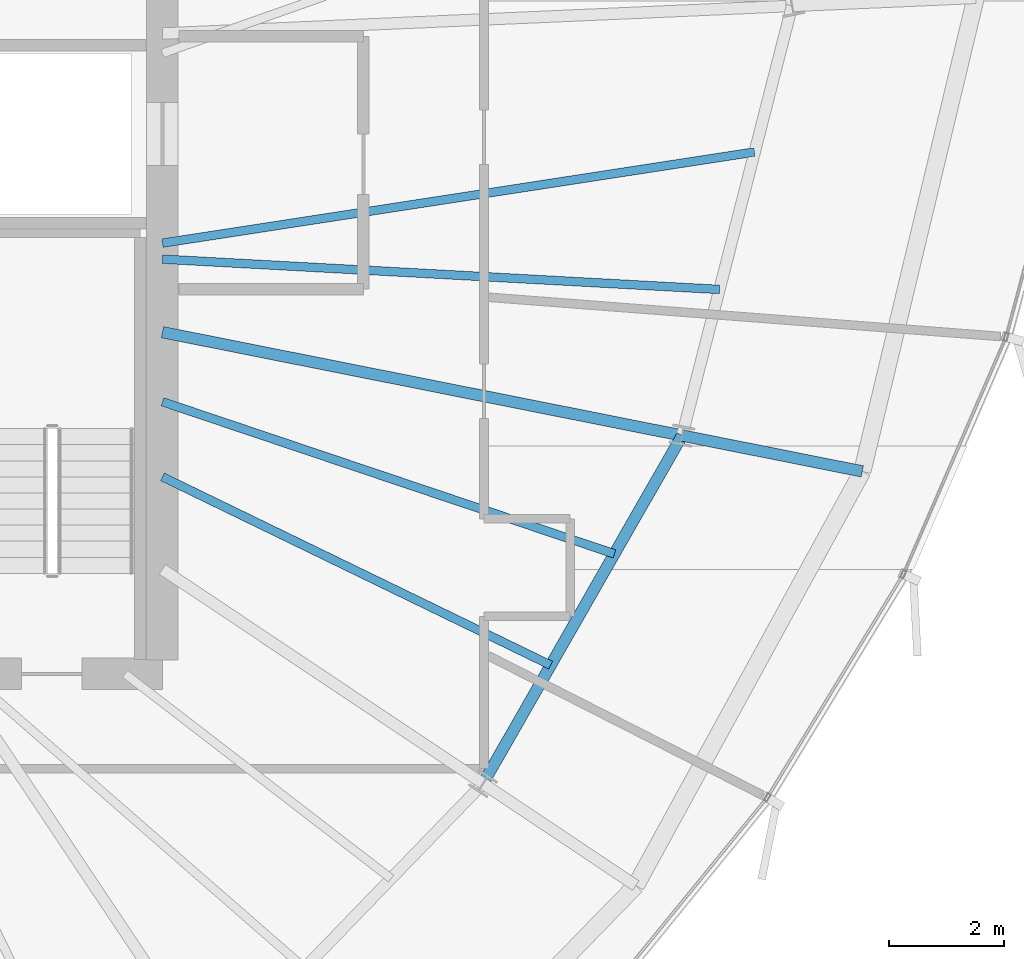
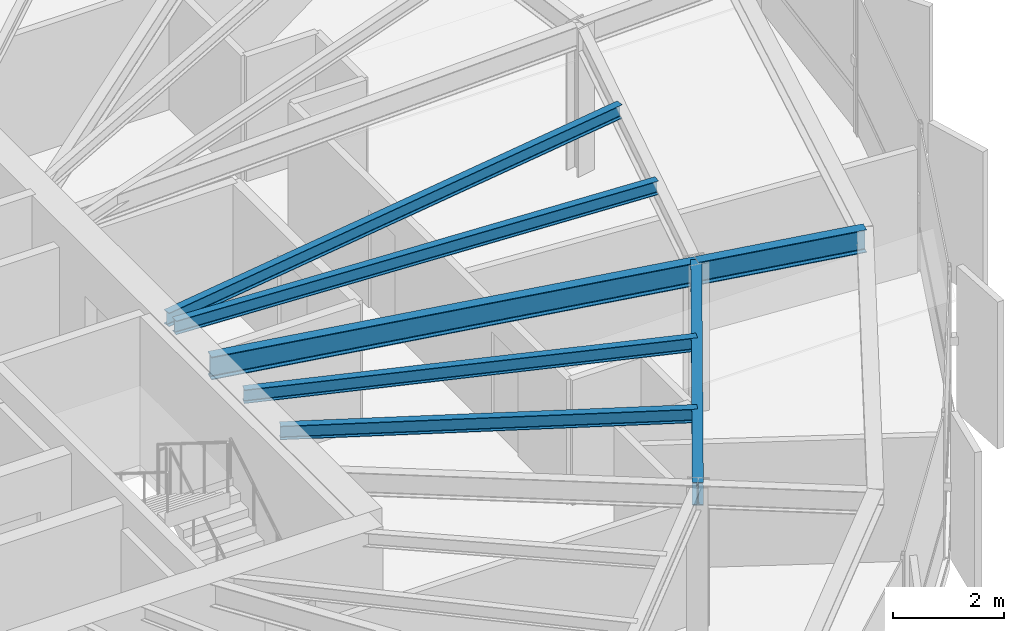
# One storey, part 16 of 34: 7 beams.
"""IFC4 building model written with IfcOpenShell, lengths in metres."""

from ifc_helpers import new_model, si_unit, direction, frame, origin, origin_2d, place, context, subcontext, project, spatial, i_section, extrude, source, transform, mapped, material, material_profile, profile_set, type_object, element, save


model = new_model("IFC4")

# Units and contexts
model_context = context("Model", 3, precision=1e-05, world=origin(), true_north=direction((0.0, 1.0)))
body_context = subcontext(model_context, "Body", "Model", "MODEL_VIEW")
ifc_project = project(units=[si_unit("LENGTHUNIT", "METRE"), si_unit("AREAUNIT", "SQUARE_METRE"), si_unit("VOLUMEUNIT", "CUBIC_METRE"), si_unit("PLANEANGLEUNIT", "RADIAN"), si_unit("MASSUNIT", "GRAM", prefix="KILO"), si_unit("THERMODYNAMICTEMPERATUREUNIT", "KELVIN")], contexts=[model_context])

# Site, building, storey
site_placement = place(None, origin())
site = spatial("IfcSite", under=ifc_project, at=site_placement, CompositionType="ELEMENT")
building_placement = place(site_placement, origin())
building = spatial("IfcBuilding", under=site, at=building_placement, Name="Kethvar Cultural Tower", CompositionType="ELEMENT")
storey_placement = place(building_placement, frame((0.0, 0.0, 190.39990234375)))
storey = spatial("IfcBuildingStorey", under=building, at=storey_placement, Name="L49", CompositionType="ELEMENT", Elevation=190.39990234375)

# Beams
ifc_material = material(Name="Steel S355J2", Category="steel")
ifc_material_profile_1 = material_profile(ifc_material, i_section(OverallWidth=0.199951171875, OverallDepth=0.5, WebThickness=0.01025390625, FlangeThickness=0.01611328125, FilletRadius=0.02099609375, at=origin_2d()), Name="Steel S355J2 — IPE500")
ifc_profile_set_1 = profile_set([ifc_material_profile_1], Name="Steel S355J2 — IPE500")
beam_type_1 = type_object("IfcBeamType", Name="BM-IPE500", PredefinedType="BEAM", material=ifc_profile_set_1)
shared_shape_1 = source(origin(), body_context, "Body", "SweptSolid", [
    extrude(i_section(OverallWidth=0.199951171875, OverallDepth=0.5, WebThickness=0.01025390625, FlangeThickness=0.01611328125, FilletRadius=0.02099609375, at=origin_2d()), origin(), (0.0, 0.0, 1.0), 3.199951171875),
])
beam_1_placement = place(storey_placement, frame((64.648681640625, 24.249755859375, 3.008056640625), z_axis=(0.980785550224, -0.195088965533, 0.0), x_axis=(0.195088965533, 0.980785550224, 0.0)))
element("IfcBeam", 1, at=beam_1_placement, inside=storey, type_object=beam_type_1, Name="L49 Perimeter Cantilever Beam RC-16", PredefinedType="BEAM", context=body_context, shape_type="MappedRepresentation", body=[
    mapped(shared_shape_1, transform((0.0, 0.0, 0.0), scale=1.0)),
])
shared_shape_2 = source(origin(), body_context, "Body", "SweptSolid", [
    extrude(i_section(OverallWidth=0.199951171875, OverallDepth=0.5, WebThickness=0.01025390625, FlangeThickness=0.01611328125, FilletRadius=0.02099609375, at=origin_2d()), origin(), (0.0, 0.0, 1.0), 9.225830078125),
])
beam_2_placement = place(storey_placement, frame((55.60009765625, 26.049560546875, 3.008056640625), z_axis=(0.980786744069, -0.195082963529, 0.0), x_axis=(0.195082963529, 0.980786744069, 0.0)))
element("IfcBeam", 2, at=beam_2_placement, inside=storey, type_object=beam_type_1, Name="L49 Primary Radial Beam RB-16", PredefinedType="BEAM", context=body_context, shape_type="MappedRepresentation", body=[
    mapped(shared_shape_2, transform((0.0, 0.0, 0.0), scale=1.0)),
])
shared_shape_3 = source(origin(), body_context, "Body", "SweptSolid", [
    extrude(i_section(OverallWidth=0.199951171875, OverallDepth=0.5, WebThickness=0.01025390625, FlangeThickness=0.01611328125, FilletRadius=0.02099609375, at=origin_2d()), origin(), (0.0, 0.0, 1.0), 6.98095703125),
])
beam_3_placement = place(storey_placement, frame((61.1826171875, 18.18994140625, 3.008056640625), z_axis=(0.496496686118, 0.868038617041, 0.0), x_axis=(-0.868038617041, 0.496496686118, 0.0)))
element("IfcBeam", 3, at=beam_3_placement, inside=storey, type_object=beam_type_1, Name="L49 Column Ring Tie Beam CR-15", PredefinedType="BEAM", context=body_context, shape_type="MappedRepresentation", body=[
    mapped(shared_shape_3, transform((0.0, 0.0, 0.0), scale=1.0)),
])
ifc_material_profile_2 = material_profile(ifc_material, i_section(OverallWidth=0.14990234375, OverallDepth=0.300048828125, WebThickness=0.007080078125, FlangeThickness=0.0107421875, FilletRadius=0.014892578125, at=origin_2d()), Name="Steel S355J2 — IPE300")
ifc_profile_set_2 = profile_set([ifc_material_profile_2], Name="Steel S355J2 — IPE300")
beam_type_2 = type_object("IfcBeamType", Name="BM-J300", PredefinedType="JOIST", material=ifc_profile_set_2)
shared_shape_4 = source(origin(), body_context, "Body", "SweptSolid", [
    extrude(i_section(OverallWidth=0.14990234375, OverallDepth=0.300048828125, WebThickness=0.007080078125, FlangeThickness=0.0107421875, FilletRadius=0.014892578125, at=origin_2d()), origin(), (0.0, 0.0, 1.0), 7.5146484375),
])
beam_4_placement = place(storey_placement, frame((55.60009765625, 23.530517578125, 3.108154296875), z_axis=(0.899698132091, -0.436512624229, 0.0), x_axis=(0.436512624229, 0.899698132091, 0.0)))
element("IfcBeam", 4, at=beam_4_placement, inside=storey, type_object=beam_type_2, Name="L49 Composite Floor Joist J-15A", PredefinedType="JOIST", context=body_context, shape_type="MappedRepresentation", body=[
    mapped(shared_shape_4, transform((0.0, 0.0, 0.0), scale=1.0)),
])
shared_shape_5 = source(origin(), body_context, "Body", "SweptSolid", [
    extrude(i_section(OverallWidth=0.14990234375, OverallDepth=0.300048828125, WebThickness=0.007080078125, FlangeThickness=0.0107421875, FilletRadius=0.014892578125, at=origin_2d()), origin(), (0.0, 0.0, 1.0), 8.303955078125),
])
beam_5_placement = place(storey_placement, frame((55.60009765625, 24.838134765625, 3.108154296875), z_axis=(0.94776496661, -0.318969540971, 0.0), x_axis=(0.318969540971, 0.94776496661, 0.0)))
element("IfcBeam", 5, at=beam_5_placement, inside=storey, type_object=beam_type_2, Name="L49 Composite Floor Joist J-15B", PredefinedType="JOIST", context=body_context, shape_type="MappedRepresentation", body=[
    mapped(shared_shape_5, transform((0.0, 0.0, 0.0), scale=1.0)),
])
shared_shape_6 = source(origin(), body_context, "Body", "SweptSolid", [
    extrude(i_section(OverallWidth=0.14990234375, OverallDepth=0.300048828125, WebThickness=0.007080078125, FlangeThickness=0.0107421875, FilletRadius=0.014892578125, at=origin_2d()), origin(), (0.0, 0.0, 1.0), 9.714111328125),
])
beam_6_placement = place(storey_placement, frame((55.60009765625, 27.3212890625, 3.108154296875), z_axis=(0.998522658081, -0.054336923906, 0.0), x_axis=(0.054336923906, 0.998522658081, 0.0)))
element("IfcBeam", 6, at=beam_6_placement, inside=storey, type_object=beam_type_2, Name="L49 Composite Floor Joist J-16A", PredefinedType="JOIST", context=body_context, shape_type="MappedRepresentation", body=[
    mapped(shared_shape_6, transform((0.0, 0.0, 0.0), scale=1.0)),
])
shared_shape_7 = source(origin(), body_context, "Body", "SweptSolid", [
    extrude(i_section(OverallWidth=0.14990234375, OverallDepth=0.300048828125, WebThickness=0.007080078125, FlangeThickness=0.0107421875, FilletRadius=0.014892578125, at=origin_2d()), origin(), (0.0, 0.0, 1.0), 10.43408203125),
])
beam_7_placement = place(storey_placement, frame((55.60009765625, 27.60009765625, 3.108154296875), z_axis=(0.988359792691, 0.152134546343, 0.0), x_axis=(-0.152134546343, 0.988359792691, 0.0)))
element("IfcBeam", 7, at=beam_7_placement, inside=storey, type_object=beam_type_2, Name="L49 Composite Floor Joist J-16B", PredefinedType="JOIST", context=body_context, shape_type="MappedRepresentation", body=[
    mapped(shared_shape_7, transform((0.0, 0.0, 0.0), scale=1.0)),
])

save(model, "model.ifc")
